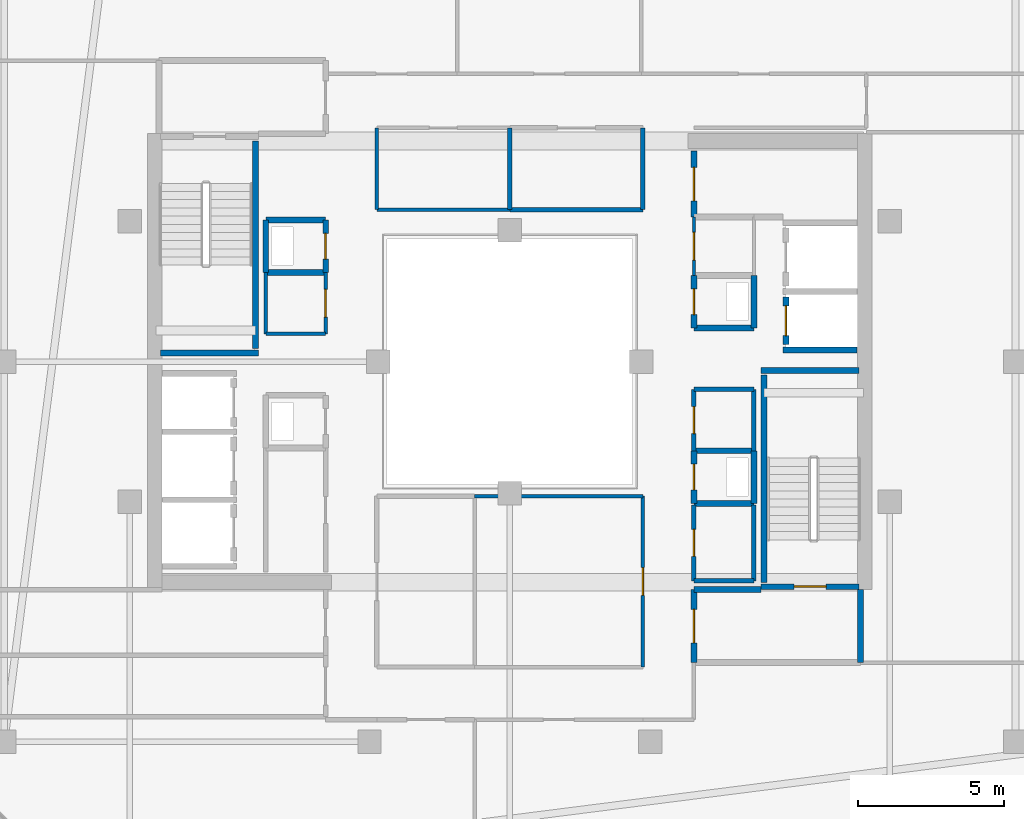
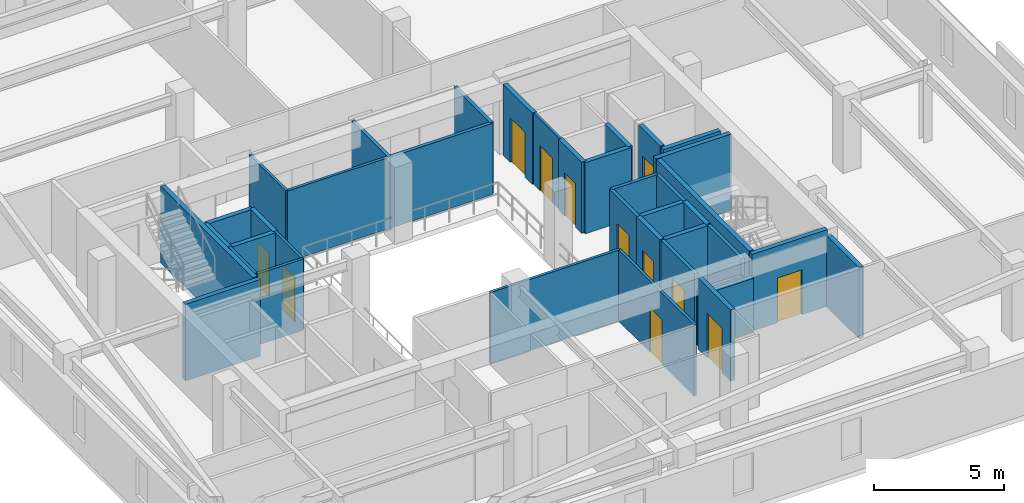
# One storey, part 26 of 35: 39 walls, 12 doors, 12 openings.
"""IFC4 building model written with IfcOpenShell, lengths in metres."""

from ifc_helpers import new_model, si_unit, direction, frame, frame_2d, origin, place, context, subcontext, project, spatial, rectangle, extrude, material, layer, layer_set, type_object, element, fill, save


model = new_model("IFC4")

# Units and contexts
model_context = context("Model", 3, precision=1e-05, world=origin(), true_north=direction((0.0, 1.0)))
body_context = subcontext(model_context, "Body", "Model", "MODEL_VIEW")
ifc_project = project(units=[si_unit("LENGTHUNIT", "METRE"), si_unit("AREAUNIT", "SQUARE_METRE"), si_unit("VOLUMEUNIT", "CUBIC_METRE"), si_unit("PLANEANGLEUNIT", "RADIAN"), si_unit("MASSUNIT", "GRAM", prefix="KILO")], contexts=[model_context])

# Site, building, storey
site_placement = place(None, origin())
site = spatial("IfcSite", under=ifc_project, at=site_placement, CompositionType="ELEMENT")
building_placement = place(site_placement, origin())
building = spatial("IfcBuilding", under=site, at=building_placement, Name="Thornwick Lancets Civic Towers", CompositionType="ELEMENT")
storey_placement = place(building_placement, frame((0.0, 0.0, 265.5)))
storey = spatial("IfcBuildingStorey", under=building, at=storey_placement, Name="L71", CompositionType="ELEMENT", Elevation=265.5)

# Wall, opening, door
ifc_material_1 = material(Name="Concrete blockwork C40/50", Category="masonry")
ifc_layer_1 = layer(ifc_material_1, 0.199951171875, Name="Concrete blockwork C40/50")
ifc_layer_set_1 = layer_set([ifc_layer_1], Name="Concrete blockwork C40/50")
wall_type_1 = type_object("IfcWallType", Name="WALL_COMP_200", PredefinedType="STANDARD", material=ifc_layer_set_1)
wall_1_placement = place(storey_placement, frame((97.949951171875, 29.219970703125, 0.0), z_axis=(0.0, 0.0, 1.0), x_axis=(0.0, -1.0, 0.0)))
wall_1 = element("IfcWall", 1, at=wall_1_placement, inside=storey, type_object=wall_type_1, Name="L71 Hoistway Front Wall FL-B1", PredefinedType="STANDARD", context=body_context, shape_type="SweptSolid", body=[
    extrude(rectangle(XDim=1.639892578125, YDim=0.199951171875, at=frame_2d((0.81982421875, 0.0))), origin(), (0.0, 0.0, 1.0), 3.340087890625),
])
opening_1_placement = place(wall_1_placement, frame((0.31005859375, 0.0, 0.0)))
opening_1 = element("IfcOpeningElement", 2, at=opening_1_placement, cuts=wall_1, Name="Opening LD-FL-B1", PredefinedType="OPENING", context=body_context, shape_type="SweptSolid", body=[
    extrude(rectangle(XDim=1.02001953125, YDim=2.06005859375, at=frame_2d((0.510009765625, 1.030029296875))), frame((0.0, 0.10986328125, 0.0), z_axis=(0.0, -1.0, 0.0), x_axis=(1.0, 0.0, 0.0)), (0.0, 0.0, 1.0), 0.219970703125),
])
ifc_material_2 = material(Name="Brushed bronze stainless steel", Category="steel")
door_type_1 = type_object("IfcDoorType", Name="DOOR_LIFT_SLIDE", OperationType="SLIDING_TO_LEFT", PredefinedType="DOOR", material=ifc_material_2)
door_1_placement = place(opening_1_placement, origin())
door_1 = element("IfcDoor", 3, at=door_1_placement, inside=storey, type_object=door_type_1, Name="L71 Sliding Lift Landing Door LD-FL-B1", OperationType="SLIDING_TO_LEFT", OverallHeight=2.06005859375, OverallWidth=1.02001953125, PredefinedType="DOOR", context=body_context, shape_type="SweptSolid", body=[
    extrude(rectangle(XDim=1.02001953125, YDim=2.06005859375, at=frame_2d((0.510009765625, 1.030029296875))), frame((0.0, 0.02490234375, 0.0), z_axis=(0.0, -1.0, 0.0), x_axis=(1.0, 0.0, 0.0)), (0.0, 0.0, 1.0), 0.050048828125),
])
fill(opening_1, door_1)

# Walls
wall_2_placement = place(storey_placement, frame((97.85205078125, 27.39990234375, 0.0), z_axis=(0.0, 0.0, 1.0), x_axis=(1.0, 0.0, 0.0)))
element("IfcWall", 4, at=wall_2_placement, inside=storey, type_object=wall_type_1, Name="L71 Hoistway Shaft Wall FL-B1 S", PredefinedType="STANDARD", context=body_context, shape_type="SweptSolid", body=[
    extrude(rectangle(XDim=2.535888671875, YDim=0.199951171875, at=frame_2d((1.26806640625, 0.0))), origin(), (0.0, 0.0, 1.0), 3.340087890625),
])
wall_3_placement = place(storey_placement, frame((100.5, 16.699951171875, 0.0), z_axis=(0.0, 0.0, 1.0), x_axis=(0.0, 1.0, 0.0)))
element("IfcWall", 5, at=wall_3_placement, inside=storey, type_object=wall_type_1, Name="L71 Partition L71-B-FFLOB1 E2", PredefinedType="STANDARD", context=body_context, shape_type="SweptSolid", body=[
    extrude(rectangle(XDim=2.5, YDim=0.199951171875, at=frame_2d((1.25, 0.0))), origin(), (0.0, 0.0, 1.0), 3.340087890625),
])
wall_4_placement = place(storey_placement, frame((97.10009765625, 19.199951171875, 0.0), z_axis=(0.0, 0.0, 1.0), x_axis=(-1.0, 0.0, 0.0)))
element("IfcWall", 6, at=wall_4_placement, inside=storey, type_object=wall_type_1, Name="L71 Partition L71-B-FFLOB1 E3", PredefinedType="STANDARD", context=body_context, shape_type="SweptSolid", body=[
    extrude(rectangle(XDim=2.300048828125, YDim=0.199951171875, at=frame_2d((1.14990234375, 0.0))), origin(), (0.0, 0.0, 1.0), 2.544921875),
])

# Wall, opening, door
wall_5_placement = place(storey_placement, frame((94.800048828125, 19.199951171875, 0.0), z_axis=(0.0, 0.0, 1.0), x_axis=(0.0, -1.0, 0.0)))
wall_5 = element("IfcWall", 7, at=wall_5_placement, inside=storey, type_object=wall_type_1, Name="L71 Partition L71-B-FFLOB1 E4", PredefinedType="STANDARD", context=body_context, shape_type="SweptSolid", body=[
    extrude(rectangle(XDim=2.5, YDim=0.199951171875, at=frame_2d((1.25, 0.0))), origin(), (0.0, 0.0, 1.0), 3.340087890625),
])
opening_2_placement = place(wall_5_placement, frame((0.675048828125, 0.0, 0.0)))
opening_2 = element("IfcOpeningElement", 8, at=opening_2_placement, cuts=wall_5, Name="Opening D-L71-3237", PredefinedType="OPENING", context=body_context, shape_type="SweptSolid", body=[
    extrude(rectangle(XDim=1.14990234375, YDim=2.10009765625, at=frame_2d((0.574951171875, 1.050048828125))), frame((0.0, 0.10986328125, 0.0), z_axis=(0.0, -1.0, 0.0), x_axis=(1.0, 0.0, 0.0)), (0.0, 0.0, 1.0), 0.219970703125),
])
ifc_material_3 = material(Name="Glazed fire-resisting steel", Category="steel")
door_type_2 = type_object("IfcDoorType", Name="DOOR_LOBBY_FD60", OperationType="NOTDEFINED", PredefinedType="DOOR", material=ifc_material_3)
door_2_placement = place(opening_2_placement, origin())
door_2 = element("IfcDoor", 9, at=door_2_placement, inside=storey, type_object=door_type_2, Name="L71 East Firefighting Lobby 1 Door", OperationType="SINGLE_SWING_RIGHT", OverallHeight=2.10009765625, OverallWidth=1.14990234375, PredefinedType="DOOR", context=body_context, shape_type="SweptSolid", body=[
    extrude(rectangle(XDim=1.14990234375, YDim=2.10009765625, at=frame_2d((0.574951171875, 1.050048828125))), frame((0.0, 0.02490234375, 0.0), z_axis=(0.0, -1.0, 0.0), x_axis=(1.0, 0.0, 0.0)), (0.0, 0.0, 1.0), 0.050048828125),
])
fill(opening_2, door_2)

# Walls
wall_6_placement = place(storey_placement, frame((94.800048828125, 28.14990234375, 0.0), z_axis=(0.0, 0.0, 1.0), x_axis=(1.0, 0.0, 0.0)))
element("IfcWall", 10, at=wall_6_placement, inside=storey, type_object=wall_type_1, Name="L71 Partition L71-B-DUCT1 E1", PredefinedType="STANDARD", context=body_context, shape_type="SweptSolid", body=[
    extrude(rectangle(XDim=2.050048828125, YDim=0.199951171875, at=frame_2d((1.02490234375, 0.0))), origin(), (0.0, 0.0, 1.0), 3.340087890625),
])
wall_7_placement = place(storey_placement, frame((96.85009765625, 28.14990234375, 0.0), z_axis=(0.0, 0.0, 1.0), x_axis=(0.0, 1.0, 0.0)))
element("IfcWall", 11, at=wall_7_placement, inside=storey, type_object=wall_type_1, Name="L71 Partition L71-B-DUCT1 E2", PredefinedType="STANDARD", context=body_context, shape_type="SweptSolid", body=[
    extrude(rectangle(XDim=1.800048828125, YDim=0.199951171875, at=frame_2d((0.89990234375, 0.0))), origin(), (0.0, 0.0, 1.0), 3.340087890625),
])

# Wall, opening, door
wall_8_placement = place(storey_placement, frame((94.800048828125, 29.949951171875, 0.0), z_axis=(0.0, 0.0, 1.0), x_axis=(0.0, -1.0, 0.0)))
wall_8 = element("IfcWall", 12, at=wall_8_placement, inside=storey, type_object=wall_type_1, Name="L71 Partition L71-B-DUCT1 E4", PredefinedType="STANDARD", context=body_context, shape_type="SweptSolid", body=[
    extrude(rectangle(XDim=1.800048828125, YDim=0.199951171875, at=frame_2d((0.89990234375, 0.0))), origin(), (0.0, 0.0, 1.0), 3.340087890625),
])
opening_3_placement = place(wall_8_placement, frame((0.4599609375, 0.0, 0.0)))
opening_3 = element("IfcOpeningElement", 13, at=opening_3_placement, cuts=wall_8, Name="Opening D-L71-3239", PredefinedType="OPENING", context=body_context, shape_type="SweptSolid", body=[
    extrude(rectangle(XDim=0.8798828125, YDim=2.0400390625, at=frame_2d((0.43994140625, 1.02001953125))), frame((0.0, 0.10986328125, 0.0), z_axis=(0.0, -1.0, 0.0), x_axis=(1.0, 0.0, 0.0)), (0.0, 0.0, 1.0), 0.219970703125),
])
ifc_material_4 = material(Name="Steel riser access doorset", Category="steel")
door_type_3 = type_object("IfcDoorType", Name="DOOR_RISER_850", OperationType="NOTDEFINED", PredefinedType="DOOR", material=ifc_material_4)
door_3_placement = place(opening_3_placement, origin())
door_3 = element("IfcDoor", 14, at=door_3_placement, inside=storey, type_object=door_type_3, Name="L71 East Service Duct 1 Door", OperationType="SINGLE_SWING_RIGHT", OverallHeight=2.0400390625, OverallWidth=0.8798828125, PredefinedType="DOOR", context=body_context, shape_type="SweptSolid", body=[
    extrude(rectangle(XDim=0.8798828125, YDim=2.0400390625, at=frame_2d((0.43994140625, 1.02001953125))), frame((0.0, 0.02490234375, 0.0), z_axis=(0.0, -1.0, 0.0), x_axis=(1.0, 0.0, 0.0)), (0.0, 0.0, 1.0), 0.050048828125),
])
fill(opening_3, door_3)

# Walls
wall_9_placement = place(storey_placement, frame((94.800048828125, 22.14990234375, 0.0), z_axis=(0.0, 0.0, 1.0), x_axis=(1.0, 0.0, 0.0)))
element("IfcWall", 15, at=wall_9_placement, inside=storey, type_object=wall_type_1, Name="L71 Partition L71-B-RISER1 E1", PredefinedType="STANDARD", context=body_context, shape_type="SweptSolid", body=[
    extrude(rectangle(XDim=2.050048828125, YDim=0.199951171875, at=frame_2d((1.02490234375, 0.0))), origin(), (0.0, 0.0, 1.0), 3.340087890625),
])
wall_10_placement = place(storey_placement, frame((96.85009765625, 22.14990234375, 0.0), z_axis=(0.0, 0.0, 1.0), x_axis=(0.0, 1.0, 0.0)))
element("IfcWall", 16, at=wall_10_placement, inside=storey, type_object=wall_type_1, Name="L71 Partition L71-B-RISER1 E2", PredefinedType="STANDARD", context=body_context, shape_type="SweptSolid", body=[
    extrude(rectangle(XDim=1.800048828125, YDim=0.199951171875, at=frame_2d((0.89990234375, 0.0))), origin(), (0.0, 0.0, 1.0), 3.340087890625),
])
wall_11_placement = place(storey_placement, frame((96.85009765625, 23.949951171875, 0.0), z_axis=(0.0, 0.0, 1.0), x_axis=(-1.0, 0.0, 0.0)))
element("IfcWall", 17, at=wall_11_placement, inside=storey, type_object=wall_type_1, Name="L71 Partition L71-B-RISER1 E3", PredefinedType="STANDARD", context=body_context, shape_type="SweptSolid", body=[
    extrude(rectangle(XDim=2.050048828125, YDim=0.199951171875, at=frame_2d((1.02490234375, 0.0))), origin(), (0.0, 0.0, 1.0), 3.340087890625),
])

# Wall, opening, door
wall_12_placement = place(storey_placement, frame((94.800048828125, 23.949951171875, 0.0), z_axis=(0.0, 0.0, 1.0), x_axis=(0.0, -1.0, 0.0)))
wall_12 = element("IfcWall", 18, at=wall_12_placement, inside=storey, type_object=wall_type_1, Name="L71 Partition L71-B-RISER1 E4", PredefinedType="STANDARD", context=body_context, shape_type="SweptSolid", body=[
    extrude(rectangle(XDim=1.800048828125, YDim=0.199951171875, at=frame_2d((0.89990234375, 0.0))), origin(), (0.0, 0.0, 1.0), 3.340087890625),
])
opening_4_placement = place(wall_12_placement, frame((0.4599609375, 0.0, 0.0)))
opening_4 = element("IfcOpeningElement", 19, at=opening_4_placement, cuts=wall_12, Name="Opening D-L71-3240", PredefinedType="OPENING", context=body_context, shape_type="SweptSolid", body=[
    extrude(rectangle(XDim=0.8798828125, YDim=2.0400390625, at=frame_2d((0.43994140625, 1.02001953125))), frame((0.0, 0.10986328125, 0.0), z_axis=(0.0, -1.0, 0.0), x_axis=(1.0, 0.0, 0.0)), (0.0, 0.0, 1.0), 0.219970703125),
])
door_4_placement = place(opening_4_placement, origin())
door_4 = element("IfcDoor", 20, at=door_4_placement, inside=storey, type_object=door_type_3, Name="L71 East Electrical Riser 1 Door", OperationType="SINGLE_SWING_LEFT", OverallHeight=2.0400390625, OverallWidth=0.8798828125, PredefinedType="DOOR", context=body_context, shape_type="SweptSolid", body=[
    extrude(rectangle(XDim=0.8798828125, YDim=2.0400390625, at=frame_2d((0.43994140625, 1.02001953125))), frame((0.0, 0.02490234375, 0.0), z_axis=(0.0, -1.0, 0.0), x_axis=(1.0, 0.0, 0.0)), (0.0, 0.0, 1.0), 0.050048828125),
])
fill(opening_4, door_4)

# Wall
wall_13_placement = place(storey_placement, frame((80.14990234375, 30.050048828125, 0.0), z_axis=(0.0, 0.0, 1.0), x_axis=(1.0, 0.0, 0.0)))
element("IfcWall", 21, at=wall_13_placement, inside=storey, type_object=wall_type_1, Name="L71 Partition L71-B-RISER2 E1", PredefinedType="STANDARD", context=body_context, shape_type="SweptSolid", body=[
    extrude(rectangle(XDim=2.050048828125, YDim=0.199951171875, at=frame_2d((1.02490234375, 0.0))), origin(), (0.0, 0.0, 1.0), 3.340087890625),
])

# Wall, opening, door
wall_14_placement = place(storey_placement, frame((82.199951171875, 30.050048828125, 0.0), z_axis=(0.0, 0.0, 1.0), x_axis=(0.0, 1.0, 0.0)))
wall_14 = element("IfcWall", 22, at=wall_14_placement, inside=storey, type_object=wall_type_1, Name="L71 Partition L71-B-RISER2 E2", PredefinedType="STANDARD", context=body_context, shape_type="SweptSolid", body=[
    extrude(rectangle(XDim=1.800048828125, YDim=0.199951171875, at=frame_2d((0.89990234375, 0.0))), origin(), (0.0, 0.0, 1.0), 3.340087890625),
])
opening_5_placement = place(wall_14_placement, frame((0.4599609375, 0.0, 0.0)))
opening_5 = element("IfcOpeningElement", 23, at=opening_5_placement, cuts=wall_14, Name="Opening D-L71-3242", PredefinedType="OPENING", context=body_context, shape_type="SweptSolid", body=[
    extrude(rectangle(XDim=0.8798828125, YDim=2.0400390625, at=frame_2d((0.43994140625, 1.02001953125))), frame((0.0, 0.10986328125, 0.0), z_axis=(0.0, -1.0, 0.0), x_axis=(1.0, 0.0, 0.0)), (0.0, 0.0, 1.0), 0.219970703125),
])
door_5_placement = place(opening_5_placement, origin())
door_5 = element("IfcDoor", 24, at=door_5_placement, inside=storey, type_object=door_type_3, Name="L71 West Service Riser 2 Door", OperationType="SINGLE_SWING_LEFT", OverallHeight=2.0400390625, OverallWidth=0.8798828125, PredefinedType="DOOR", context=body_context, shape_type="SweptSolid", body=[
    extrude(rectangle(XDim=0.8798828125, YDim=2.0400390625, at=frame_2d((0.43994140625, 1.02001953125))), frame((0.0, 0.02490234375, 0.0), z_axis=(0.0, -1.0, 0.0), x_axis=(1.0, 0.0, 0.0)), (0.0, 0.0, 1.0), 0.050048828125),
])
fill(opening_5, door_5)

# Walls
wall_15_placement = place(storey_placement, frame((82.199951171875, 31.85009765625, 0.0), z_axis=(0.0, 0.0, 1.0), x_axis=(-1.0, 0.0, 0.0)))
element("IfcWall", 25, at=wall_15_placement, inside=storey, type_object=wall_type_1, Name="L71 Partition L71-B-RISER2 E3", PredefinedType="STANDARD", context=body_context, shape_type="SweptSolid", body=[
    extrude(rectangle(XDim=2.050048828125, YDim=0.199951171875, at=frame_2d((1.02490234375, 0.0))), origin(), (0.0, 0.0, 1.0), 3.340087890625),
])
wall_16_placement = place(storey_placement, frame((80.14990234375, 31.85009765625, 0.0), z_axis=(0.0, 0.0, 1.0), x_axis=(0.0, -1.0, 0.0)))
element("IfcWall", 26, at=wall_16_placement, inside=storey, type_object=wall_type_1, Name="L71 Partition L71-B-RISER2 E4", PredefinedType="STANDARD", context=body_context, shape_type="SweptSolid", body=[
    extrude(rectangle(XDim=1.800048828125, YDim=0.199951171875, at=frame_2d((0.89990234375, 0.0))), origin(), (0.0, 0.0, 1.0), 3.340087890625),
])

# Wall, opening, door
wall_17_placement = place(storey_placement, frame((94.800048828125, 31.949951171875, 0.0), z_axis=(0.0, 0.0, 1.0), x_axis=(0.0, 1.0, 0.0)))
wall_17 = element("IfcWall", 27, at=wall_17_placement, inside=storey, type_object=wall_type_1, Name="L71 Partition L71-B-ITR2 E1", PredefinedType="STANDARD", context=body_context, shape_type="SweptSolid", body=[
    extrude(rectangle(XDim=2.25, YDim=0.199951171875, at=frame_2d((1.125, 0.0))), origin(), (0.0, 0.0, 1.0), 3.340087890625),
])
opening_6_placement = place(wall_17_placement, frame((0.550048828125, 0.0, 0.0)))
opening_6 = element("IfcOpeningElement", 28, at=opening_6_placement, cuts=wall_17, Name="Opening D-L71-3246", PredefinedType="OPENING", context=body_context, shape_type="SweptSolid", body=[
    extrude(rectangle(XDim=1.14990234375, YDim=2.10009765625, at=frame_2d((0.574951171875, 1.050048828125))), frame((0.0, 0.10986328125, 0.0), z_axis=(0.0, -1.0, 0.0), x_axis=(1.0, 0.0, 0.0)), (0.0, 0.0, 1.0), 0.219970703125),
])
door_6_placement = place(opening_6_placement, origin())
door_6 = element("IfcDoor", 29, at=door_6_placement, inside=storey, type_object=door_type_2, Name="L71 Tower B Statutory Core Archive Door", OperationType="SINGLE_SWING_LEFT", OverallHeight=2.10009765625, OverallWidth=1.14990234375, PredefinedType="DOOR", context=body_context, shape_type="SweptSolid", body=[
    extrude(rectangle(XDim=1.14990234375, YDim=2.10009765625, at=frame_2d((0.574951171875, 1.050048828125))), frame((0.0, 0.02490234375, 0.0), z_axis=(0.0, -1.0, 0.0), x_axis=(1.0, 0.0, 0.0)), (0.0, 0.0, 1.0), 0.050048828125),
])
fill(opening_6, door_6)

ifc_material_5 = material(Name="Lightweight cellular office partition")
ifc_layer_2 = layer(ifc_material_5, 0.10009765625, Name="Lightweight cellular office partition")
ifc_layer_set_2 = layer_set([ifc_layer_2], Name="Lightweight cellular office partition")
wall_type_2 = type_object("IfcWallType", Name="WALL_PART_100", PredefinedType="PARTITIONING", material=ifc_layer_set_2)
wall_18_placement = place(storey_placement, frame((94.800048828125, 29.949951171875, 0.0), z_axis=(0.0, 0.0, 1.0), x_axis=(0.0, 1.0, 0.0)))
wall_18 = element("IfcWall", 30, at=wall_18_placement, inside=storey, type_object=wall_type_2, Name="L71 Partition L71-B-CLN E1", PredefinedType="PARTITIONING", context=body_context, shape_type="SweptSolid", body=[
    extrude(rectangle(XDim=2.0, YDim=0.10009765625, at=frame_2d((1.0, 0.0))), origin(), (0.0, 0.0, 1.0), 3.340087890625),
])
opening_7_placement = place(wall_18_placement, frame((0.52490234375, 0.0, 0.0)))
opening_7 = element("IfcOpeningElement", 31, at=opening_7_placement, cuts=wall_18, Name="Opening D-L71-3245", PredefinedType="OPENING", context=body_context, shape_type="SweptSolid", body=[
    extrude(rectangle(XDim=0.949951171875, YDim=2.10009765625, at=frame_2d((0.47509765625, 1.050048828125))), frame((0.0, 0.06005859375, 0.0), z_axis=(0.0, -1.0, 0.0), x_axis=(1.0, 0.0, 0.0)), (0.0, 0.0, 1.0), 0.1201171875),
])
ifc_material_6 = material(Name="European oak acoustic doorset")
door_type_4 = type_object("IfcDoorType", Name="DOOR_OFFICE_950", OperationType="NOTDEFINED", PredefinedType="DOOR", material=ifc_material_6)
door_7_placement = place(opening_7_placement, origin())
door_7 = element("IfcDoor", 32, at=door_7_placement, inside=storey, type_object=door_type_4, Name="L71 Tower B Cleaners Store Door", OperationType="SINGLE_SWING_RIGHT", OverallHeight=2.10009765625, OverallWidth=0.949951171875, PredefinedType="DOOR", context=body_context, shape_type="SweptSolid", body=[
    extrude(rectangle(XDim=0.949951171875, YDim=2.10009765625, at=frame_2d((0.47509765625, 1.050048828125))), frame((0.0, 0.02490234375, 0.0), z_axis=(0.0, -1.0, 0.0), x_axis=(1.0, 0.0, 0.0)), (0.0, 0.0, 1.0), 0.050048828125),
])
fill(opening_7, door_7)

# Walls
ifc_material_7 = material(Name="Acoustic gypsum board partition")
ifc_layer_3 = layer(ifc_material_7, 0.1201171875, Name="Acoustic gypsum board partition")
ifc_layer_set_3 = layer_set([ifc_layer_3], Name="Acoustic gypsum board partition")
wall_type_3 = type_object("IfcWallType", Name="WALL_PART_120", PredefinedType="PARTITIONING", material=ifc_layer_set_3)
wall_19_placement = place(storey_placement, frame((82.199951171875, 27.949951171875, 0.0), z_axis=(0.0, 0.0, 1.0), x_axis=(-1.0, 0.0, 0.0)))
element("IfcWall", 33, at=wall_19_placement, inside=storey, type_object=wall_type_3, Name="L71 Partition L71-B-ITR E1", PredefinedType="PARTITIONING", context=body_context, shape_type="SweptSolid", body=[
    extrude(rectangle(XDim=2.050048828125, YDim=0.1201171875, at=frame_2d((1.02490234375, 0.0))), origin(), (0.0, 0.0, 1.0), 3.340087890625),
])
wall_20_placement = place(storey_placement, frame((80.14990234375, 27.949951171875, 0.0), z_axis=(0.0, 0.0, 1.0), x_axis=(0.0, 1.0, 0.0)))
element("IfcWall", 34, at=wall_20_placement, inside=storey, type_object=wall_type_3, Name="L71 Partition L71-B-ITR E2", PredefinedType="PARTITIONING", context=body_context, shape_type="SweptSolid", body=[
    extrude(rectangle(XDim=2.10009765625, YDim=0.1201171875, at=frame_2d((1.050048828125, 0.0))), origin(), (0.0, 0.0, 1.0), 3.340087890625),
])

# Wall, opening, door
wall_21_placement = place(storey_placement, frame((82.199951171875, 30.050048828125, 0.0), z_axis=(0.0, 0.0, 1.0), x_axis=(0.0, -1.0, 0.0)))
wall_21 = element("IfcWall", 35, at=wall_21_placement, inside=storey, type_object=wall_type_3, Name="L71 Partition L71-B-ITR E4", PredefinedType="PARTITIONING", context=body_context, shape_type="SweptSolid", body=[
    extrude(rectangle(XDim=2.10009765625, YDim=0.1201171875, at=frame_2d((1.050048828125, 0.0))), origin(), (0.0, 0.0, 1.0), 3.340087890625),
])
opening_8_placement = place(wall_21_placement, frame((0.574951171875, 0.0, 0.0)))
opening_8 = element("IfcOpeningElement", 36, at=opening_8_placement, cuts=wall_21, Name="Opening D-L71-3248", PredefinedType="OPENING", context=body_context, shape_type="SweptSolid", body=[
    extrude(rectangle(XDim=0.949951171875, YDim=2.10009765625, at=frame_2d((0.47509765625, 1.050048828125))), frame((0.0, 0.070068359375, 0.0), z_axis=(0.0, -1.0, 0.0), x_axis=(1.0, 0.0, 0.0)), (0.0, 0.0, 1.0), 0.14013671875),
])
door_8_placement = place(opening_8_placement, origin())
door_8 = element("IfcDoor", 37, at=door_8_placement, inside=storey, type_object=door_type_4, Name="L71 Tower B Comms Patch Room Door", OperationType="SINGLE_SWING_LEFT", OverallHeight=2.10009765625, OverallWidth=0.949951171875, PredefinedType="DOOR", context=body_context, shape_type="SweptSolid", body=[
    extrude(rectangle(XDim=0.949951171875, YDim=2.10009765625, at=frame_2d((0.47509765625, 1.050048828125))), frame((0.0, 0.02490234375, 0.0), z_axis=(0.0, -1.0, 0.0), x_axis=(1.0, 0.0, 0.0)), (0.0, 0.0, 1.0), 0.050048828125),
])
fill(opening_8, door_8)

# Wall
wall_22_placement = place(storey_placement, frame((87.300048828125, 22.39990234375, 0.0), z_axis=(0.0, 0.0, 1.0), x_axis=(1.0, 0.0, 0.0)))
element("IfcWall", 38, at=wall_22_placement, inside=storey, type_object=wall_type_3, Name="L71 Partition L71-B-W3 E2", PredefinedType="PARTITIONING", context=body_context, shape_type="SweptSolid", body=[
    extrude(rectangle(XDim=5.75, YDim=0.1201171875, at=frame_2d((2.875, 0.0))), origin(), (0.0, 0.0, 1.0), 3.340087890625),
])

# Wall, opening, door
wall_23_placement = place(storey_placement, frame((93.050048828125, 22.39990234375, 0.0), z_axis=(0.0, 0.0, 1.0), x_axis=(0.0, -1.0, 0.0)))
wall_23 = element("IfcWall", 39, at=wall_23_placement, inside=storey, type_object=wall_type_3, Name="L71 Partition L71-B-W3 E3", PredefinedType="PARTITIONING", context=body_context, shape_type="SweptSolid", body=[
    extrude(rectangle(XDim=5.849853515625, YDim=0.1201171875, at=frame_2d((2.9248046875, 0.0))), origin(), (0.0, 0.0, 1.0), 3.340087890625),
])
opening_9_placement = place(wall_23_placement, frame((2.449951171875, 0.0, 0.0)))
opening_9 = element("IfcOpeningElement", 40, at=opening_9_placement, cuts=wall_23, Name="Opening D-L71-3266", PredefinedType="OPENING", context=body_context, shape_type="SweptSolid", body=[
    extrude(rectangle(XDim=0.949951171875, YDim=2.10009765625, at=frame_2d((0.47509765625, 1.050048828125))), frame((0.0, 0.070068359375, 0.0), z_axis=(0.0, -1.0, 0.0), x_axis=(1.0, 0.0, 0.0)), (0.0, 0.0, 1.0), 0.14013671875),
])
door_9_placement = place(opening_9_placement, origin())
door_9 = element("IfcDoor", 41, at=door_9_placement, inside=storey, type_object=door_type_4, Name="L71 Tower B Staff Tea Pantry and Lounge Door", OperationType="SINGLE_SWING_LEFT", OverallHeight=2.10009765625, OverallWidth=0.949951171875, PredefinedType="DOOR", context=body_context, shape_type="SweptSolid", body=[
    extrude(rectangle(XDim=0.949951171875, YDim=2.10009765625, at=frame_2d((0.47509765625, 1.050048828125))), frame((0.0, 0.02490234375, 0.0), z_axis=(0.0, -1.0, 0.0), x_axis=(1.0, 0.0, 0.0)), (0.0, 0.0, 1.0), 0.050048828125),
])
fill(opening_9, door_9)

# Walls
wall_24_placement = place(storey_placement, frame((83.949951171875, 32.199951171875, 0.0), z_axis=(0.0, 0.0, 1.0), x_axis=(0.0, 1.0, 0.0)))
element("IfcWall", 42, at=wall_24_placement, inside=storey, type_object=wall_type_3, Name="L71 Partition L71-B-E-ATR-2 E1", PredefinedType="PARTITIONING", context=body_context, shape_type="SweptSolid", body=[
    extrude(rectangle(XDim=2.800048828125, YDim=0.1201171875, at=frame_2d((1.39990234375, 0.0))), origin(), (0.0, 0.0, 1.0), 3.340087890625),
])
wall_25_placement = place(storey_placement, frame((88.5, 32.199951171875, 0.0), z_axis=(0.0, 0.0, 1.0), x_axis=(-1.0, 0.0, 0.0)))
element("IfcWall", 43, at=wall_25_placement, inside=storey, type_object=wall_type_3, Name="L71 Partition L71-B-E-ATR-2 E4", PredefinedType="PARTITIONING", context=body_context, shape_type="SweptSolid", body=[
    extrude(rectangle(XDim=4.550048828125, YDim=0.1201171875, at=frame_2d((2.27490234375, 0.0))), origin(), (0.0, 0.0, 1.0), 3.340087890625),
])
ifc_material_8 = material(Name="Twin-stud acoustic gypsum board")
ifc_layer_4 = layer(ifc_material_8, 0.14990234375, Name="Twin-stud acoustic gypsum board")
ifc_layer_set_4 = layer_set([ifc_layer_4], Name="Twin-stud acoustic gypsum board")
wall_type_4 = type_object("IfcWallType", Name="WALL_PART_150", PredefinedType="PARTITIONING", material=ifc_layer_set_4)
wall_26_placement = place(storey_placement, frame((94.800048828125, 19.5, 0.0), z_axis=(0.0, 0.0, 1.0), x_axis=(1.0, 0.0, 0.0)))
element("IfcWall", 44, at=wall_26_placement, inside=storey, type_object=wall_type_4, Name="L71 Partition L71-B-MWC E1", PredefinedType="PARTITIONING", context=body_context, shape_type="SweptSolid", body=[
    extrude(rectangle(XDim=2.050048828125, YDim=0.14990234375, at=frame_2d((1.02490234375, 0.0))), origin(), (0.0, 0.0, 1.0), 2.544921875),
])
wall_27_placement = place(storey_placement, frame((96.85009765625, 19.5, 0.0), z_axis=(0.0, 0.0, 1.0), x_axis=(0.0, 1.0, 0.0)))
element("IfcWall", 45, at=wall_27_placement, inside=storey, type_object=wall_type_4, Name="L71 Partition L71-B-MWC E2", PredefinedType="PARTITIONING", context=body_context, shape_type="SweptSolid", body=[
    extrude(rectangle(XDim=2.60009765625, YDim=0.14990234375, at=frame_2d((1.300048828125, 0.0))), origin(), (0.0, 0.0, 1.0), 3.340087890625),
])

# Wall, opening, door
wall_28_placement = place(storey_placement, frame((94.800048828125, 22.10009765625, 0.0), z_axis=(0.0, 0.0, 1.0), x_axis=(0.0, -1.0, 0.0)))
wall_28 = element("IfcWall", 46, at=wall_28_placement, inside=storey, type_object=wall_type_4, Name="L71 Partition L71-B-MWC E4", PredefinedType="PARTITIONING", context=body_context, shape_type="SweptSolid", body=[
    extrude(rectangle(XDim=2.60009765625, YDim=0.14990234375, at=frame_2d((1.300048828125, 0.0))), origin(), (0.0, 0.0, 1.0), 3.340087890625),
])
opening_10_placement = place(wall_28_placement, frame((0.840087890625, 0.0, 0.0)))
opening_10 = element("IfcOpeningElement", 47, at=opening_10_placement, cuts=wall_28, Name="Opening D-L71-3243", PredefinedType="OPENING", context=body_context, shape_type="SweptSolid", body=[
    extrude(rectangle(XDim=0.919921875, YDim=2.080078125, at=frame_2d((0.4599609375, 1.0400390625))), frame((0.0, 0.0849609375, 0.0), z_axis=(0.0, -1.0, 0.0), x_axis=(1.0, 0.0, 0.0)), (0.0, 0.0, 1.0), 0.169921875),
])
ifc_material_9 = material(Name="Moisture-resistant oak doorset")
door_type_5 = type_object("IfcDoorType", Name="DOOR_WC_900", OperationType="NOTDEFINED", PredefinedType="DOOR", material=ifc_material_9)
door_10_placement = place(opening_10_placement, origin())
door_10 = element("IfcDoor", 48, at=door_10_placement, inside=storey, type_object=door_type_5, Name="L71 Tower B Male WC Door", OperationType="SINGLE_SWING_RIGHT", OverallHeight=2.080078125, OverallWidth=0.919921875, PredefinedType="DOOR", context=body_context, shape_type="SweptSolid", body=[
    extrude(rectangle(XDim=0.919921875, YDim=2.080078125, at=frame_2d((0.4599609375, 1.0400390625))), frame((0.0, 0.02490234375, 0.0), z_axis=(0.0, -1.0, 0.0), x_axis=(1.0, 0.0, 0.0)), (0.0, 0.0, 1.0), 0.050048828125),
])
fill(opening_10, door_10)

wall_29_placement = place(storey_placement, frame((94.800048828125, 23.949951171875, 0.0), z_axis=(0.0, 0.0, 1.0), x_axis=(0.0, 1.0, 0.0)))
wall_29 = element("IfcWall", 49, at=wall_29_placement, inside=storey, type_object=wall_type_4, Name="L71 Partition L71-B-AWC E1", PredefinedType="PARTITIONING", context=body_context, shape_type="SweptSolid", body=[
    extrude(rectangle(XDim=2.10009765625, YDim=0.14990234375, at=frame_2d((1.050048828125, 0.0))), origin(), (0.0, 0.0, 1.0), 3.340087890625),
])
opening_11_placement = place(wall_29_placement, frame((0.590087890625, 0.0, 0.0)))
opening_11 = element("IfcOpeningElement", 50, at=opening_11_placement, cuts=wall_29, Name="Opening D-L71-3244", PredefinedType="OPENING", context=body_context, shape_type="SweptSolid", body=[
    extrude(rectangle(XDim=0.919921875, YDim=2.080078125, at=frame_2d((0.4599609375, 1.0400390625))), frame((0.0, 0.0849609375, 0.0), z_axis=(0.0, -1.0, 0.0), x_axis=(1.0, 0.0, 0.0)), (0.0, 0.0, 1.0), 0.169921875),
])
door_11_placement = place(opening_11_placement, origin())
door_11 = element("IfcDoor", 51, at=door_11_placement, inside=storey, type_object=door_type_5, Name="L71 Tower B Accessible WC Door", OperationType="SINGLE_SWING_LEFT", OverallHeight=2.080078125, OverallWidth=0.919921875, PredefinedType="DOOR", context=body_context, shape_type="SweptSolid", body=[
    extrude(rectangle(XDim=0.919921875, YDim=2.080078125, at=frame_2d((0.4599609375, 1.0400390625))), frame((0.0, 0.02490234375, 0.0), z_axis=(0.0, -1.0, 0.0), x_axis=(1.0, 0.0, 0.0)), (0.0, 0.0, 1.0), 0.050048828125),
])
fill(opening_11, door_11)

# Walls
wall_30_placement = place(storey_placement, frame((94.800048828125, 26.050048828125, 0.0), z_axis=(0.0, 0.0, 1.0), x_axis=(1.0, 0.0, 0.0)))
element("IfcWall", 52, at=wall_30_placement, inside=storey, type_object=wall_type_4, Name="L71 Partition L71-B-AWC E2", PredefinedType="PARTITIONING", context=body_context, shape_type="SweptSolid", body=[
    extrude(rectangle(XDim=2.050048828125, YDim=0.14990234375, at=frame_2d((1.02490234375, 0.0))), origin(), (0.0, 0.0, 1.0), 3.340087890625),
])
wall_31_placement = place(storey_placement, frame((96.85009765625, 26.050048828125, 0.0), z_axis=(0.0, 0.0, 1.0), x_axis=(0.0, -1.0, 0.0)))
element("IfcWall", 53, at=wall_31_placement, inside=storey, type_object=wall_type_4, Name="L71 Partition L71-B-AWC E3", PredefinedType="PARTITIONING", context=body_context, shape_type="SweptSolid", body=[
    extrude(rectangle(XDim=2.10009765625, YDim=0.14990234375, at=frame_2d((1.050048828125, 0.0))), origin(), (0.0, 0.0, 1.0), 3.340087890625),
])
for number, where, z_axis, x_axis, name in (
    (54, (88.5, 32.199951171875, 0.0), (0.0, 0.0, 1.0), (0.0, 1.0, 0.0), "L71 Partition L71-B-E-ATR-1 E1"),
    (55, (93.050048828125, 35.0, 0.0), (0.0, 0.0, 1.0), (0.0, -1.0, 0.0), "L71 Partition L71-B-E-ATR-1 E3"),
):
    element("IfcWall", number, at=place(storey_placement, frame(where, z_axis=z_axis, x_axis=x_axis)), inside=storey, type_object=wall_type_4, Name=name, PredefinedType="PARTITIONING", context=body_context, shape_type="SweptSolid", body=[
        extrude(rectangle(XDim=2.800048828125, YDim=0.14990234375, at=frame_2d((1.39990234375, 0.0))), origin(), (0.0, 0.0, 1.0), 3.340087890625),
    ])
wall_32_placement = place(storey_placement, frame((93.050048828125, 32.199951171875, 0.0), z_axis=(0.0, 0.0, 1.0), x_axis=(-1.0, 0.0, 0.0)))
element("IfcWall", 56, at=wall_32_placement, inside=storey, type_object=wall_type_4, Name="L71 Partition L71-B-E-ATR-1 E4", PredefinedType="PARTITIONING", context=body_context, shape_type="SweptSolid", body=[
    extrude(rectangle(XDim=4.550048828125, YDim=0.14990234375, at=frame_2d((2.27490234375, 0.0))), origin(), (0.0, 0.0, 1.0), 3.340087890625),
])

# Wall, opening, door
ifc_material_10 = material(Name="Concrete C40/50", Category="concrete")
ifc_layer_5 = layer(ifc_material_10, 0.199951171875, Name="Concrete C40/50")
ifc_layer_set_5 = layer_set([ifc_layer_5], Name="Concrete C40/50")
wall_type_5 = type_object("IfcWallType", Name="WALL_SHAFT_200", PredefinedType="SHEAR", material=ifc_layer_set_5)
wall_33_placement = place(storey_placement, frame((100.449951171875, 19.300048828125, 0.0), z_axis=(0.0, 0.0, 1.0), x_axis=(-1.0, 0.0, 0.0)))
wall_33 = element("IfcWall", 57, at=wall_33_placement, inside=storey, type_object=wall_type_5, Name="L71 ST-B1 Fire Stair Core Wall NEAR", PredefinedType="SHEAR", context=body_context, shape_type="SweptSolid", body=[
    extrude(rectangle(XDim=3.349853515625, YDim=0.199951171875, at=frame_2d((1.6748046875, 0.0))), origin(), (0.0, 0.0, 1.0), 3.60009765625),
])
opening_12_placement = place(wall_33_placement, frame((1.125, 0.0, 0.0)))
opening_12 = element("IfcOpeningElement", 58, at=opening_12_placement, cuts=wall_33, Name="Opening D-ST-B1-L71", PredefinedType="OPENING", context=body_context, shape_type="SweptSolid", body=[
    extrude(rectangle(XDim=1.10009765625, YDim=2.10009765625, at=frame_2d((0.550048828125, 1.050048828125))), frame((0.0, 0.10986328125, 0.0), z_axis=(0.0, -1.0, 0.0), x_axis=(1.0, 0.0, 0.0)), (0.0, 0.0, 1.0), 0.219970703125),
])
ifc_material_11 = material(Name="Fire-resisting steel and hardwood", Category="steel")
door_type_6 = type_object("IfcDoorType", Name="DOOR_STAIR_FD60", OperationType="NOTDEFINED", PredefinedType="DOOR", material=ifc_material_11)
door_12_placement = place(opening_12_placement, origin())
door_12 = element("IfcDoor", 59, at=door_12_placement, inside=storey, type_object=door_type_6, Name="L71 ST-B1 Exit Stair Door", OperationType="SINGLE_SWING_RIGHT", OverallHeight=2.10009765625, OverallWidth=1.10009765625, PredefinedType="DOOR", context=body_context, shape_type="SweptSolid", body=[
    extrude(rectangle(XDim=1.10009765625, YDim=2.10009765625, at=frame_2d((0.550048828125, 1.050048828125))), frame((0.0, 0.02490234375, 0.0), z_axis=(0.0, -1.0, 0.0), x_axis=(1.0, 0.0, 0.0)), (0.0, 0.0, 1.0), 0.050048828125),
])
fill(opening_12, door_12)

# Walls
wall_34_placement = place(storey_placement, frame((97.10009765625, 26.699951171875, 0.0), z_axis=(0.0, 0.0, 1.0), x_axis=(1.0, 0.0, 0.0)))
element("IfcWall", 60, at=wall_34_placement, inside=storey, type_object=wall_type_5, Name="L71 ST-B1 Fire Stair Core Wall FAR", PredefinedType="SHEAR", context=body_context, shape_type="SweptSolid", body=[
    extrude(rectangle(XDim=3.349853515625, YDim=0.199951171875, at=frame_2d((1.6748046875, 0.0))), origin(), (0.0, 0.0, 1.0), 3.60009765625),
])
wall_35_placement = place(storey_placement, frame((97.202880859375, 26.550048828125, 0.0), z_axis=(0.0, 0.0, 1.0), x_axis=(0.0, -1.0, 0.0)))
element("IfcWall", 61, at=wall_35_placement, inside=storey, type_object=wall_type_5, Name="L71 ST-B1 Fire Stair Core Wall RIGHT", PredefinedType="SHEAR", context=body_context, shape_type="SweptSolid", body=[
    extrude(rectangle(XDim=7.10009765625, YDim=0.199951171875, at=frame_2d((3.550048828125, 0.0))), origin(), (0.0, 0.0, 1.0), 3.60009765625),
])
wall_36_placement = place(storey_placement, frame((79.89990234375, 27.300048828125, 0.0), z_axis=(0.0, 0.0, 1.0), x_axis=(-1.0, 0.0, 0.0)))
element("IfcWall", 62, at=wall_36_placement, inside=storey, type_object=wall_type_5, Name="L71 ST-B2 Fire Stair Core Wall FAR", PredefinedType="SHEAR", context=body_context, shape_type="SweptSolid", body=[
    extrude(rectangle(XDim=3.349853515625, YDim=0.199951171875, at=frame_2d((1.6748046875, 0.0))), origin(), (0.0, 0.0, 1.0), 3.60009765625),
])
wall_37_placement = place(storey_placement, frame((79.797119140625, 27.449951171875, 0.0), z_axis=(0.0, 0.0, 1.0), x_axis=(0.0, 1.0, 0.0)))
element("IfcWall", 63, at=wall_37_placement, inside=storey, type_object=wall_type_5, Name="L71 ST-B2 Fire Stair Core Wall RIGHT", PredefinedType="SHEAR", context=body_context, shape_type="SweptSolid", body=[
    extrude(rectangle(XDim=7.10009765625, YDim=0.199951171875, at=frame_2d((3.550048828125, 0.0))), origin(), (0.0, 0.0, 1.0), 3.60009765625),
])

save(model, "model.ifc")
